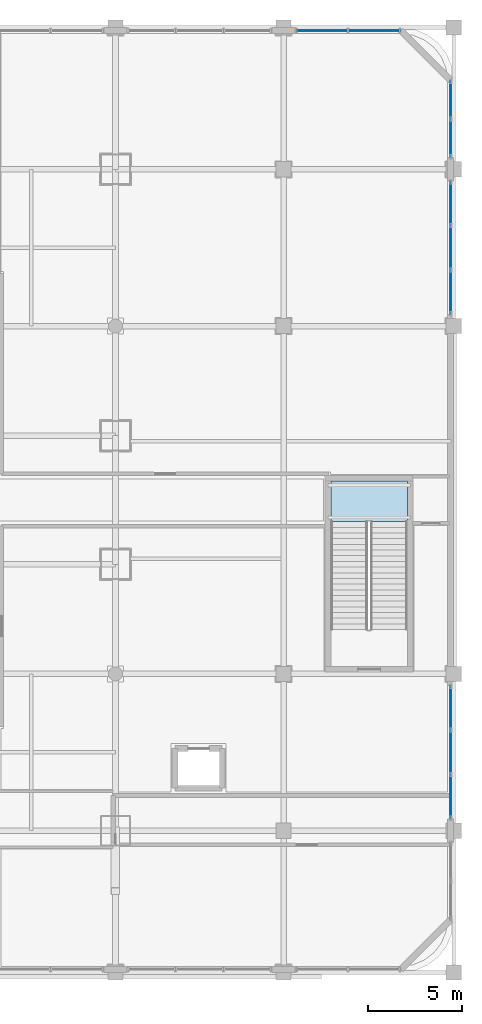
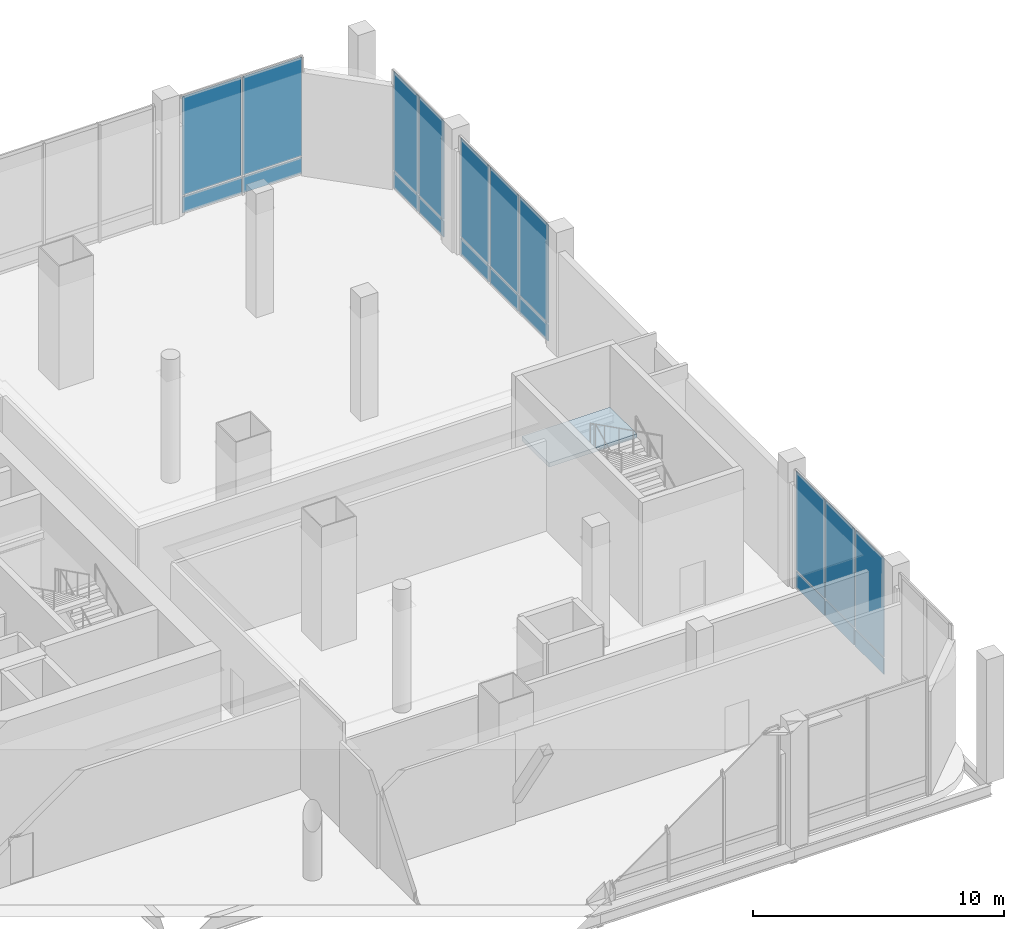
# One storey, part 24 of 38: 20 plates, 1 slab, 5 elements without a shape of their own.
"""IFC4 building model written with IfcOpenShell, lengths in metres."""

from ifc_helpers import new_model, si_unit, direction, frame, origin, origin_2d, place, context, subcontext, project, spatial, polyline, rectangle, outline, extrude, material, layer, layer_set, type_object, element, aggregate, save


model = new_model("IFC4")

# Units and contexts
model_context = context("Model", 3, precision=1e-05, world=origin(), true_north=direction((0.0, 1.0)))
body_context = subcontext(model_context, "Body", "Model", "MODEL_VIEW")
ifc_project = project(units=[si_unit("LENGTHUNIT", "METRE"), si_unit("AREAUNIT", "SQUARE_METRE"), si_unit("VOLUMEUNIT", "CUBIC_METRE"), si_unit("PLANEANGLEUNIT", "RADIAN"), si_unit("MASSUNIT", "GRAM", prefix="KILO")], contexts=[model_context])

# Site, building, storey
site_placement = place(None, origin())
site = spatial("IfcSite", under=ifc_project, at=site_placement, CompositionType="ELEMENT")
building_placement = place(site_placement, origin())
building = spatial("IfcBuilding", under=site, at=building_placement, Name="Punatoya Terracotta Tower", CompositionType="ELEMENT")
storey_placement = place(building_placement, frame((0.0, 0.0, 22.199951171875)))
storey = spatial("IfcBuildingStorey", under=building, at=storey_placement, Name="L04", CompositionType="ELEMENT", Elevation=22.199951171875)

# Curtain wall, plates
ifc_material_1 = material(Name="Aluminium 6063-T6 + Double Low-E Glass", Category="aluminium")
curtain_wall_type = type_object("IfcCurtainWallType", Name="CW-POD", PredefinedType="NOTDEFINED", material=ifc_material_1)
curtain_wall_1_placement = place(storey_placement, origin())
curtain_wall_1 = element("IfcCurtainWall", 1, at=curtain_wall_1_placement, inside=storey, type_object=curtain_wall_type, Name="L04 Curtain Wall CWP-L04-N7", PredefinedType="NOTDEFINED")
ifc_material_2 = material(Name="Double Low-E Clear Vision Glass", Category="glass")
ifc_layer_1 = layer(ifc_material_2, 0.028076171875)
ifc_layer_set_1 = layer_set([ifc_layer_1], Name="Double Low-E Clear Vision Glass")
plate_type_1 = type_object("IfcPlateType", Name="PLT-GLZ-28", PredefinedType="CURTAIN_PANEL", material=ifc_layer_set_1)
plate_1_placement = place(storey_placement, frame((32.804931640625, 24.840087890625, 0.89013671875), z_axis=(0.0, 0.0, 1.0), x_axis=(-1.0, 0.0, 0.0)))
plate_1 = element("IfcPlate", 2, at=plate_1_placement, type_object=plate_type_1, Name="CWP-L04-N7 Vision Glass Panel 1", PredefinedType="CURTAIN_PANEL", context=body_context, shape_type="SweptSolid", body=[
    extrude(rectangle(XDim=2.705078125, YDim=0.028076171875, at=origin_2d()), origin(), (0.0, 0.0, 1.0), 4.7900390625),
])
plate_2_placement = place(storey_placement, frame((30.014892578125, 24.840087890625, 0.89013671875), z_axis=(0.0, 0.0, 1.0), x_axis=(-1.0, 0.0, 0.0)))
plate_2 = element("IfcPlate", 3, at=plate_2_placement, type_object=plate_type_1, Name="CWP-L04-N7 Vision Glass Panel 2", PredefinedType="CURTAIN_PANEL", context=body_context, shape_type="SweptSolid", body=[
    extrude(rectangle(XDim=2.705078125, YDim=0.028076171875, at=origin_2d()), origin(), (0.0, 0.0, 1.0), 4.7900390625),
])

curtain_wall_2_placement = place(storey_placement, origin())
curtain_wall_2 = element("IfcCurtainWall", 4, at=curtain_wall_2_placement, inside=storey, type_object=curtain_wall_type, Name="L04 Curtain Wall CWP-L04-E2", PredefinedType="NOTDEFINED")
plate_3_placement = place(storey_placement, frame((36.840087890625, -10.99658203125, 0.89013671875), z_axis=(0.0, 0.0, 1.0), x_axis=(0.0, -1.0, 0.0)))
plate_3 = element("IfcPlate", 5, at=plate_3_placement, type_object=plate_type_1, Name="CWP-L04-E2 Vision Glass Panel 1", PredefinedType="CURTAIN_PANEL", context=body_context, shape_type="SweptSolid", body=[
    extrude(rectangle(XDim=2.268310546875, YDim=0.028076171875, at=origin_2d()), origin(), (0.0, 0.0, 1.0), 4.7900390625),
])
plate_4_placement = place(storey_placement, frame((36.840087890625, -13.35009765625, 0.89013671875), z_axis=(0.0, 0.0, 1.0), x_axis=(0.0, -1.0, 0.0)))
plate_4 = element("IfcPlate", 6, at=plate_4_placement, type_object=plate_type_1, Name="CWP-L04-E2 Vision Glass Panel 2", PredefinedType="CURTAIN_PANEL", context=body_context, shape_type="SweptSolid", body=[
    extrude(rectangle(XDim=2.268310546875, YDim=0.028076171875, at=origin_2d()), origin(), (0.0, 0.0, 1.0), 4.7900390625),
])
plate_5_placement = place(storey_placement, frame((36.840087890625, -15.703369140625, 0.89013671875), z_axis=(0.0, 0.0, 1.0), x_axis=(0.0, -1.0, 0.0)))
plate_5 = element("IfcPlate", 7, at=plate_5_placement, type_object=plate_type_1, Name="CWP-L04-E2 Vision Glass Panel 3", PredefinedType="CURTAIN_PANEL", context=body_context, shape_type="SweptSolid", body=[
    extrude(rectangle(XDim=2.268310546875, YDim=0.028076171875, at=origin_2d()), origin(), (0.0, 0.0, 1.0), 4.7900390625),
])

curtain_wall_3_placement = place(storey_placement, origin())
curtain_wall_3 = element("IfcCurtainWall", 8, at=curtain_wall_3_placement, inside=storey, type_object=curtain_wall_type, Name="L04 Curtain Wall CWP-L04-E3", PredefinedType="NOTDEFINED")
plate_6_placement = place(storey_placement, frame((36.840087890625, 15.703369140625, 0.89013671875), z_axis=(0.0, 0.0, 1.0), x_axis=(0.0, -1.0, 0.0)))
plate_6 = element("IfcPlate", 9, at=plate_6_placement, type_object=plate_type_1, Name="CWP-L04-E3 Vision Glass Panel 1", PredefinedType="CURTAIN_PANEL", context=body_context, shape_type="SweptSolid", body=[
    extrude(rectangle(XDim=2.268310546875, YDim=0.028076171875, at=origin_2d()), origin(), (0.0, 0.0, 1.0), 4.7900390625),
])
plate_7_placement = place(storey_placement, frame((36.840087890625, 13.35009765625, 0.89013671875), z_axis=(0.0, 0.0, 1.0), x_axis=(0.0, -1.0, 0.0)))
plate_7 = element("IfcPlate", 10, at=plate_7_placement, type_object=plate_type_1, Name="CWP-L04-E3 Vision Glass Panel 2", PredefinedType="CURTAIN_PANEL", context=body_context, shape_type="SweptSolid", body=[
    extrude(rectangle(XDim=2.268310546875, YDim=0.028076171875, at=origin_2d()), origin(), (0.0, 0.0, 1.0), 4.7900390625),
])
plate_8_placement = place(storey_placement, frame((36.840087890625, 10.99658203125, 0.89013671875), z_axis=(0.0, 0.0, 1.0), x_axis=(0.0, -1.0, 0.0)))
plate_8 = element("IfcPlate", 11, at=plate_8_placement, type_object=plate_type_1, Name="CWP-L04-E3 Vision Glass Panel 3", PredefinedType="CURTAIN_PANEL", context=body_context, shape_type="SweptSolid", body=[
    extrude(rectangle(XDim=2.268310546875, YDim=0.028076171875, at=origin_2d()), origin(), (0.0, 0.0, 1.0), 4.7900390625),
])

curtain_wall_4_placement = place(storey_placement, origin())
curtain_wall_4 = element("IfcCurtainWall", 12, at=curtain_wall_4_placement, inside=storey, type_object=curtain_wall_type, Name="L04 Curtain Wall CWP-L04-E4", PredefinedType="NOTDEFINED")
plate_9_placement = place(storey_placement, frame((36.840087890625, 21.179931640625, 0.89013671875), z_axis=(0.0, 0.0, 1.0), x_axis=(0.0, -1.0, 0.0)))
plate_9 = element("IfcPlate", 13, at=plate_9_placement, type_object=plate_type_1, Name="CWP-L04-E4 Vision Glass Panel 1", PredefinedType="CURTAIN_PANEL", context=body_context, shape_type="SweptSolid", body=[
    extrude(rectangle(XDim=1.955078125, YDim=0.028076171875, at=origin_2d()), origin(), (0.0, 0.0, 1.0), 4.7900390625),
])
plate_10_placement = place(storey_placement, frame((36.840087890625, 19.139892578125, 0.89013671875), z_axis=(0.0, 0.0, 1.0), x_axis=(0.0, -1.0, 0.0)))
plate_10 = element("IfcPlate", 14, at=plate_10_placement, type_object=plate_type_1, Name="CWP-L04-E4 Vision Glass Panel 2", PredefinedType="CURTAIN_PANEL", context=body_context, shape_type="SweptSolid", body=[
    extrude(rectangle(XDim=1.955078125, YDim=0.028076171875, at=origin_2d()), origin(), (0.0, 0.0, 1.0), 4.7900390625),
])

# Plate
ifc_material_3 = material(Name="Insulated Terracotta-Backed Spandrel Panel", Category="masonry")
ifc_layer_2 = layer(ifc_material_3, 0.044921875)
ifc_layer_set_2 = layer_set([ifc_layer_2], Name="Insulated Terracotta-Backed Spandrel Panel")
plate_type_2 = type_object("IfcPlateType", Name="PLT-SPN-45", PredefinedType="CURTAIN_PANEL", material=ifc_layer_set_2)
plate_11_placement = place(storey_placement, frame((32.804931640625, 24.840087890625, 0.0400390625), z_axis=(0.0, 0.0, 1.0), x_axis=(-1.0, 0.0, 0.0)))
plate_11 = element("IfcPlate", 15, at=plate_11_placement, type_object=plate_type_2, Name="CWP-L04-N7 Terracotta Spandrel Panel 1", PredefinedType="CURTAIN_PANEL", context=body_context, shape_type="SweptSolid", body=[
    extrude(rectangle(XDim=2.705078125, YDim=0.044921875, at=origin_2d()), origin(), (0.0, 0.0, 1.0), 0.77490234375),
])

plate_12_placement = place(storey_placement, frame((30.014892578125, 24.840087890625, 0.0400390625), z_axis=(0.0, 0.0, 1.0), x_axis=(-1.0, 0.0, 0.0)))
plate_12 = element("IfcPlate", 16, at=plate_12_placement, type_object=plate_type_2, Name="CWP-L04-N7 Terracotta Spandrel Panel 2", PredefinedType="CURTAIN_PANEL", context=body_context, shape_type="SweptSolid", body=[
    extrude(rectangle(XDim=2.705078125, YDim=0.044921875, at=origin_2d()), origin(), (0.0, 0.0, 1.0), 0.77490234375),
])

aggregate(curtain_wall_1, [plate_11, plate_1, plate_12, plate_2])

plate_13_placement = place(storey_placement, frame((36.840087890625, -10.99658203125, 0.0400390625), z_axis=(0.0, 0.0, 1.0), x_axis=(0.0, -1.0, 0.0)))
plate_13 = element("IfcPlate", 17, at=plate_13_placement, type_object=plate_type_2, Name="CWP-L04-E2 Terracotta Spandrel Panel 1", PredefinedType="CURTAIN_PANEL", context=body_context, shape_type="SweptSolid", body=[
    extrude(rectangle(XDim=2.268310546875, YDim=0.044921875, at=origin_2d()), origin(), (0.0, 0.0, 1.0), 0.77490234375),
])

plate_14_placement = place(storey_placement, frame((36.840087890625, -13.35009765625, 0.0400390625), z_axis=(0.0, 0.0, 1.0), x_axis=(0.0, -1.0, 0.0)))
plate_14 = element("IfcPlate", 18, at=plate_14_placement, type_object=plate_type_2, Name="CWP-L04-E2 Terracotta Spandrel Panel 2", PredefinedType="CURTAIN_PANEL", context=body_context, shape_type="SweptSolid", body=[
    extrude(rectangle(XDim=2.268310546875, YDim=0.044921875, at=origin_2d()), origin(), (0.0, 0.0, 1.0), 0.77490234375),
])

plate_15_placement = place(storey_placement, frame((36.840087890625, -15.703369140625, 0.0400390625), z_axis=(0.0, 0.0, 1.0), x_axis=(0.0, -1.0, 0.0)))
plate_15 = element("IfcPlate", 19, at=plate_15_placement, type_object=plate_type_2, Name="CWP-L04-E2 Terracotta Spandrel Panel 3", PredefinedType="CURTAIN_PANEL", context=body_context, shape_type="SweptSolid", body=[
    extrude(rectangle(XDim=2.268310546875, YDim=0.044921875, at=origin_2d()), origin(), (0.0, 0.0, 1.0), 0.77490234375),
])

aggregate(curtain_wall_2, [plate_13, plate_3, plate_14, plate_4, plate_15, plate_5])

plate_16_placement = place(storey_placement, frame((36.840087890625, 15.703369140625, 0.0400390625), z_axis=(0.0, 0.0, 1.0), x_axis=(0.0, -1.0, 0.0)))
plate_16 = element("IfcPlate", 20, at=plate_16_placement, type_object=plate_type_2, Name="CWP-L04-E3 Terracotta Spandrel Panel 1", PredefinedType="CURTAIN_PANEL", context=body_context, shape_type="SweptSolid", body=[
    extrude(rectangle(XDim=2.268310546875, YDim=0.044921875, at=origin_2d()), origin(), (0.0, 0.0, 1.0), 0.77490234375),
])

plate_17_placement = place(storey_placement, frame((36.840087890625, 13.35009765625, 0.0400390625), z_axis=(0.0, 0.0, 1.0), x_axis=(0.0, -1.0, 0.0)))
plate_17 = element("IfcPlate", 21, at=plate_17_placement, type_object=plate_type_2, Name="CWP-L04-E3 Terracotta Spandrel Panel 2", PredefinedType="CURTAIN_PANEL", context=body_context, shape_type="SweptSolid", body=[
    extrude(rectangle(XDim=2.268310546875, YDim=0.044921875, at=origin_2d()), origin(), (0.0, 0.0, 1.0), 0.77490234375),
])

plate_18_placement = place(storey_placement, frame((36.840087890625, 10.99658203125, 0.0400390625), z_axis=(0.0, 0.0, 1.0), x_axis=(0.0, -1.0, 0.0)))
plate_18 = element("IfcPlate", 22, at=plate_18_placement, type_object=plate_type_2, Name="CWP-L04-E3 Terracotta Spandrel Panel 3", PredefinedType="CURTAIN_PANEL", context=body_context, shape_type="SweptSolid", body=[
    extrude(rectangle(XDim=2.268310546875, YDim=0.044921875, at=origin_2d()), origin(), (0.0, 0.0, 1.0), 0.77490234375),
])

aggregate(curtain_wall_3, [plate_16, plate_6, plate_17, plate_7, plate_18, plate_8])

plate_19_placement = place(storey_placement, frame((36.840087890625, 21.179931640625, 0.0400390625), z_axis=(0.0, 0.0, 1.0), x_axis=(0.0, -1.0, 0.0)))
plate_19 = element("IfcPlate", 23, at=plate_19_placement, type_object=plate_type_2, Name="CWP-L04-E4 Terracotta Spandrel Panel 1", PredefinedType="CURTAIN_PANEL", context=body_context, shape_type="SweptSolid", body=[
    extrude(rectangle(XDim=1.955078125, YDim=0.044921875, at=origin_2d()), origin(), (0.0, 0.0, 1.0), 0.77490234375),
])

plate_20_placement = place(storey_placement, frame((36.840087890625, 19.139892578125, 0.0400390625), z_axis=(0.0, 0.0, 1.0), x_axis=(0.0, -1.0, 0.0)))
plate_20 = element("IfcPlate", 24, at=plate_20_placement, type_object=plate_type_2, Name="CWP-L04-E4 Terracotta Spandrel Panel 2", PredefinedType="CURTAIN_PANEL", context=body_context, shape_type="SweptSolid", body=[
    extrude(rectangle(XDim=1.955078125, YDim=0.044921875, at=origin_2d()), origin(), (0.0, 0.0, 1.0), 0.77490234375),
])

aggregate(curtain_wall_4, [plate_19, plate_9, plate_20, plate_10])

# Stair, slab
ifc_material_4 = material(Name="Concrete C40/50", Category="concrete")
stair_type = type_object("IfcStairType", Name="STR-POD-1800", PredefinedType="HALF_TURN_STAIR", material=ifc_material_4)
stair_placement = place(storey_placement, origin())
stair = element("IfcStair", 25, at=stair_placement, inside=storey, type_object=stair_type, Name="L04 Podium East Exit Stair ST-P2", PredefinedType="HALF_TURN_STAIR")
ifc_layer_3 = layer(ifc_material_4, 0.179931640625)
ifc_layer_set_3 = layer_set([ifc_layer_3], Name="Concrete C40/50")
slab_type = type_object("IfcSlabType", Name="SLB-LND-180", PredefinedType="LANDING", material=ifc_layer_set_3)
slab_placement = place(storey_placement, frame((0.0, 0.0, 2.800048828125)))
slab = element("IfcSlab", 26, at=slab_placement, type_object=slab_type, Name="ST-P2 landing 1", PredefinedType="LANDING", context=body_context, shape_type="SweptSolid", body=[
    extrude(outline(polyline([(34.550048828125, -1.14990234375), (34.550048828125, 1.0), (30.5, 1.0), (30.5, -1.14990234375), (34.550048828125, -1.14990234375)])), origin(), (0.0, 0.0, 1.0), 0.199951171875),
])
aggregate(stair, [slab])

save(model, "model.ifc")
